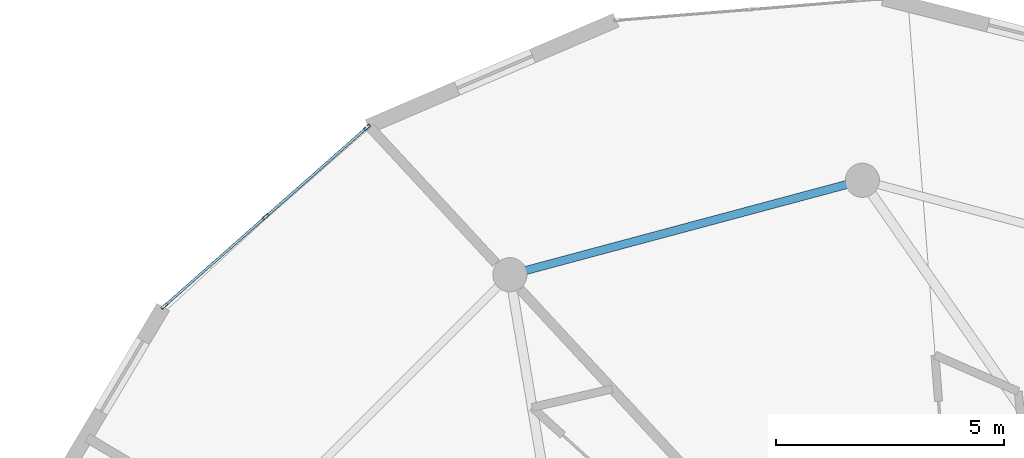
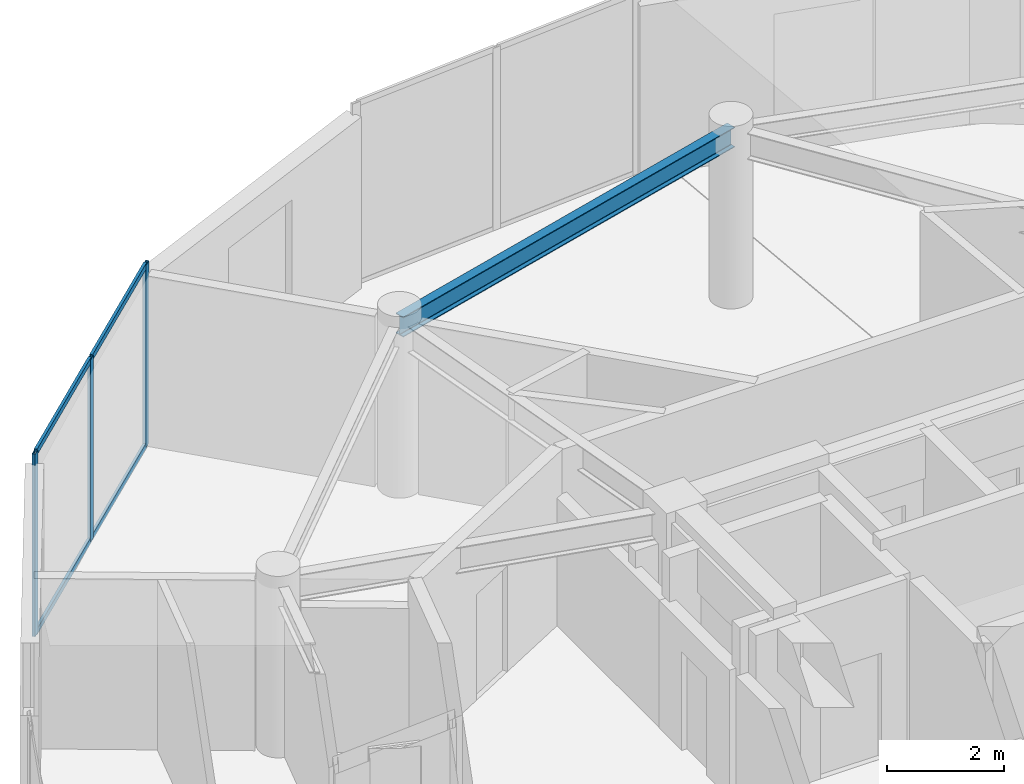
# One storey, part 13 of 22: 7 members, 1 beam, 1 element without a shape of its own.
"""IFC4 building model written with IfcOpenShell, lengths in metres."""

from ifc_helpers import new_model, si_unit, direction, frame, origin, origin_2d, place, context, subcontext, project, spatial, hollow_rectangle, i_section, extrude, source, transform, mapped, material, layer, layer_set, material_profile, profile_set, type_object, element, aggregate, save


model = new_model("IFC4")

# Units and contexts
model_context = context("Model", 3, precision=1e-05, world=origin(), true_north=direction((0.0, 1.0)))
body_context = subcontext(model_context, "Body", "Model", "MODEL_VIEW")
ifc_project = project(units=[si_unit("LENGTHUNIT", "METRE"), si_unit("AREAUNIT", "SQUARE_METRE"), si_unit("VOLUMEUNIT", "CUBIC_METRE"), si_unit("PLANEANGLEUNIT", "RADIAN"), si_unit("MASSUNIT", "GRAM", prefix="KILO")], contexts=[model_context])

# Site, building, storey
site_placement = place(None, origin())
site = spatial("IfcSite", under=ifc_project, at=site_placement, CompositionType="ELEMENT")
building_placement = place(site_placement, origin())
building = spatial("IfcBuilding", under=site, at=building_placement, Name="Solvirekh Grand Hotel", CompositionType="ELEMENT")
storey_placement = place(building_placement, frame((0.0, 0.0, 293.39990234375)))
storey = spatial("IfcBuildingStorey", under=building, at=storey_placement, Name="L76", CompositionType="ELEMENT", Elevation=293.39990234375)

# Beam
ifc_material_1 = material(Name="Steel S355", Category="steel")
ifc_material_profile_1 = material_profile(ifc_material_1, i_section(OverallWidth=0.180908203125, OverallDepth=0.4169921875, WebThickness=0.010009765625, FlangeThickness=0.01611328125, FilletRadius=0.011962890625, at=origin_2d()), Name="W410X85")
ifc_profile_set_1 = profile_set([ifc_material_profile_1], Name="Steel S355")
beam_type = type_object("IfcBeamType", Name="Spandrel_Ring_W410", PredefinedType="SPANDREL", material=ifc_profile_set_1)
beam_placement = place(storey_placement, frame((0.0, 15.449951171875, 3.362060546875), z_axis=(-0.965921616143, -0.258834757072, 0.0), x_axis=(0.258834757072, -0.965921616143, 0.0)))
element("IfcBeam", 1, at=beam_placement, inside=storey, type_object=beam_type, Name="L76 perimeter spandrel beam 4", PredefinedType="SPANDREL", context=body_context, shape_type="SweptSolid", body=[
    extrude(i_section(OverallWidth=0.180908203125, OverallDepth=0.4169921875, WebThickness=0.010009765625, FlangeThickness=0.01611328125, FilletRadius=0.011962890625, at=origin_2d()), origin(), (0.0, 0.0, 1.0), 7.99755859375),
])

# Curtain wall, members
ifc_material_2 = material(Name="Anodized Bronze Aluminium 6063-T6", Category="aluminium")
ifc_layer = layer(ifc_material_2, 0.159912109375)
ifc_layer_set = layer_set([ifc_layer], Name="Anodized Bronze Aluminium 6063-T6")
curtain_wall_type = type_object("IfcCurtainWallType", Name="CW_Sys4_HighZoneFlushBronzeCW", PredefinedType="NOTDEFINED", material=ifc_layer_set)
curtain_wall_placement = place(storey_placement, origin())
curtain_wall = element("IfcCurtainWall", 2, at=curtain_wall_placement, inside=storey, type_object=curtain_wall_type, Name="L76 unitised bronze-glass curtain wall CW-L76-C13", PredefinedType="NOTDEFINED")
ifc_material_profile_2 = material_profile(ifc_material_2, hollow_rectangle(XDim=0.06005859375, YDim=0.159912109375, WallThickness=0.0048828125, at=origin_2d()), Name="ALU RHS 160X60X5")
ifc_profile_set_2 = profile_set([ifc_material_profile_2], Name="Anodized Bronze Aluminium 6063-T6")
member_type_1 = type_object("IfcMemberType", Name="CWMullion_Sys4", PredefinedType="MULLION", material=ifc_profile_set_2)
shared_shape_1 = source(origin(), body_context, "Body", "SweptSolid", [
    extrude(hollow_rectangle(XDim=0.06005859375, YDim=0.159912109375, WallThickness=0.0048828125, at=origin_2d()), origin(), (0.0, 0.0, 1.0), 3.800048828125),
])
member_1_placement = place(storey_placement, frame((-10.857421875, 16.609130859375, 0.0), z_axis=(0.0, 0.0, 1.0), x_axis=(0.661350800605, -0.750076741767, 0.0)))
member_1 = element("IfcMember", 3, at=member_1_placement, type_object=member_type_1, Name="U04 mullion 1", PredefinedType="MULLION", context=body_context, shape_type="MappedRepresentation", body=[
    mapped(shared_shape_1, transform((0.0, 0.0, 0.0), x_axis=(1.0, 0.0, 0.0), y_axis=(0.0, 1.0, 0.0), z_axis=(0.0, 0.0, 1.0), scale=1.0)),
])
member_2_placement = place(storey_placement, frame((-13.07958984375, 14.64990234375, 0.0), z_axis=(0.0, 0.0, 1.0), x_axis=(0.661350800605, -0.750076741767, 0.0)))
member_2 = element("IfcMember", 4, at=member_2_placement, type_object=member_type_1, Name="U04 mullion 2", PredefinedType="MULLION", context=body_context, shape_type="MappedRepresentation", body=[
    mapped(shared_shape_1, transform((0.0, 0.0, 0.0), x_axis=(1.0, 0.0, 0.0), y_axis=(0.0, 1.0, 0.0), z_axis=(0.0, 0.0, 1.0), scale=1.0)),
])
member_3_placement = place(storey_placement, frame((-15.301513671875, 12.69091796875, 0.0), z_axis=(0.0, 0.0, 1.0), x_axis=(0.661350800605, -0.750076741767, 0.0)))
member_3 = element("IfcMember", 5, at=member_3_placement, type_object=member_type_1, Name="U04 mullion 3", PredefinedType="MULLION", context=body_context, shape_type="MappedRepresentation", body=[
    mapped(shared_shape_1, transform((0.0, 0.0, 0.0), x_axis=(1.0, 0.0, 0.0), y_axis=(0.0, 1.0, 0.0), z_axis=(0.0, 0.0, 1.0), scale=1.0)),
])
ifc_material_profile_3 = material_profile(ifc_material_2, hollow_rectangle(XDim=0.054931640625, YDim=0.1201171875, WallThickness=0.00390625, at=origin_2d()), Name="ALU RHS 120X55X4")
ifc_profile_set_3 = profile_set([ifc_material_profile_3], Name="Anodized Bronze Aluminium 6063-T6")
member_type_2 = type_object("IfcMemberType", Name="CWTransom_Sys4", PredefinedType="USERDEFINED", material=ifc_profile_set_3)
shared_shape_2 = source(origin(), body_context, "Body", "SweptSolid", [
    extrude(hollow_rectangle(XDim=0.054931640625, YDim=0.1201171875, WallThickness=0.00390625, at=origin_2d()), origin(), (0.0, 0.0, 1.0), 2.90234375),
])
member_4_placement = place(storey_placement, frame((-10.8798828125, 16.58935546875, 0.027587890625), z_axis=(-0.750085739894, -0.661340595161, 0.0), x_axis=(0.661340595161, -0.750085739894, 0.0)))
member_4 = element("IfcMember", 6, at=member_4_placement, type_object=member_type_2, Name="U04 transom 1.1", ObjectType="TRANSOM", PredefinedType="USERDEFINED", context=body_context, shape_type="MappedRepresentation", body=[
    mapped(shared_shape_2, transform((0.0, 0.0, 0.0), x_axis=(1.0, 0.0, 0.0), y_axis=(0.0, 1.0, 0.0), z_axis=(0.0, 0.0, 1.0), scale=1.0)),
])
member_5_placement = place(storey_placement, frame((-10.8798828125, 16.58935546875, 3.772705078125), z_axis=(-0.750085739894, -0.661340595161, 0.0), x_axis=(0.661340595161, -0.750085739894, 0.0)))
member_5 = element("IfcMember", 7, at=member_5_placement, type_object=member_type_2, Name="U04 transom 1.2", ObjectType="TRANSOM", PredefinedType="USERDEFINED", context=body_context, shape_type="MappedRepresentation", body=[
    mapped(shared_shape_2, transform((0.0, 0.0, 0.0), x_axis=(1.0, 0.0, 0.0), y_axis=(0.0, 1.0, 0.0), z_axis=(0.0, 0.0, 1.0), scale=1.0)),
])
member_6_placement = place(storey_placement, frame((-13.10205078125, 14.630126953125, 0.027587890625), z_axis=(-0.750085739894, -0.661340595161, 0.0), x_axis=(0.661340595161, -0.750085739894, 0.0)))
member_6 = element("IfcMember", 8, at=member_6_placement, type_object=member_type_2, Name="U04 transom 2.1", ObjectType="TRANSOM", PredefinedType="USERDEFINED", context=body_context, shape_type="MappedRepresentation", body=[
    mapped(shared_shape_2, transform((0.0, 0.0, 0.0), x_axis=(1.0, 0.0, 0.0), y_axis=(0.0, 1.0, 0.0), z_axis=(0.0, 0.0, 1.0), scale=1.0)),
])
member_7_placement = place(storey_placement, frame((-13.10205078125, 14.630126953125, 3.772705078125), z_axis=(-0.750085739894, -0.661340595161, 0.0), x_axis=(0.661340595161, -0.750085739894, 0.0)))
member_7 = element("IfcMember", 9, at=member_7_placement, type_object=member_type_2, Name="U04 transom 2.2", ObjectType="TRANSOM", PredefinedType="USERDEFINED", context=body_context, shape_type="MappedRepresentation", body=[
    mapped(shared_shape_2, transform((0.0, 0.0, 0.0), x_axis=(1.0, 0.0, 0.0), y_axis=(0.0, 1.0, 0.0), z_axis=(0.0, 0.0, 1.0), scale=1.0)),
])
aggregate(curtain_wall, [member_1, member_2, member_3, member_4, member_5, member_6, member_7])

save(model, "model.ifc")
